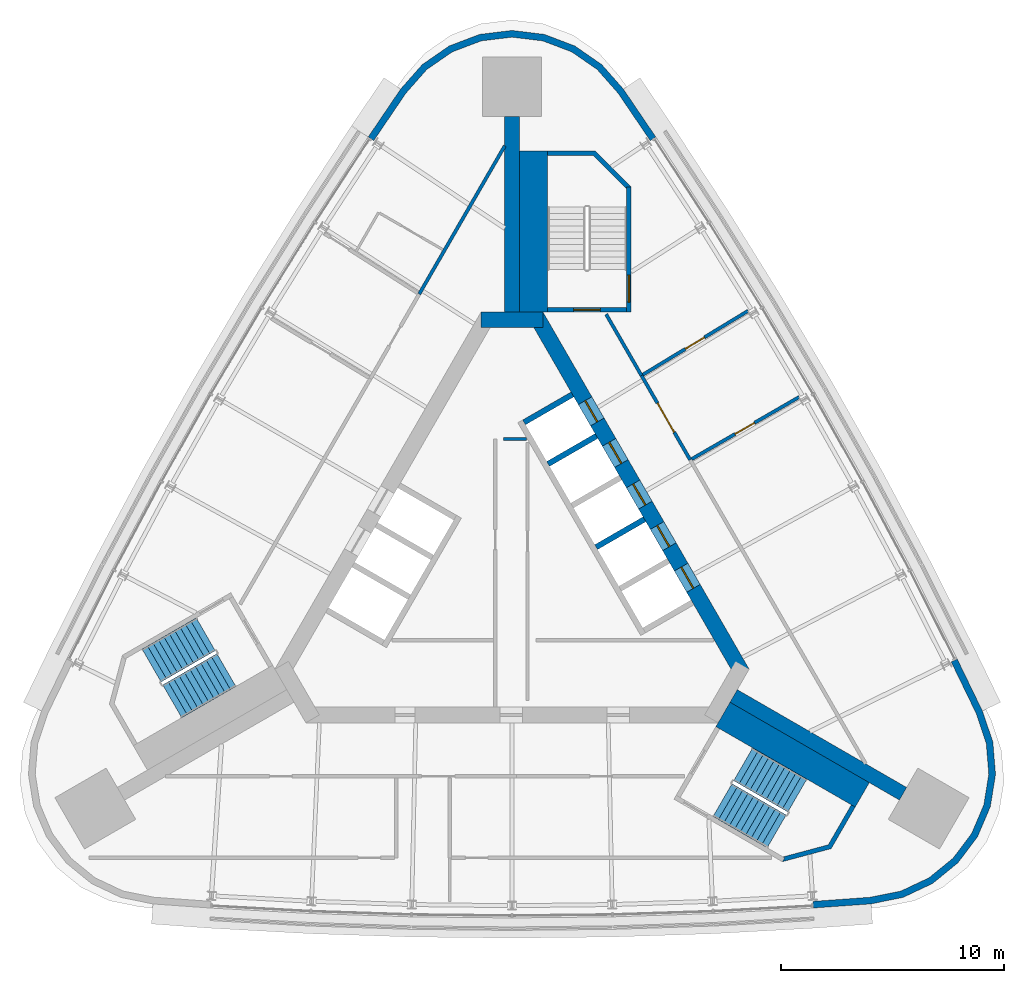
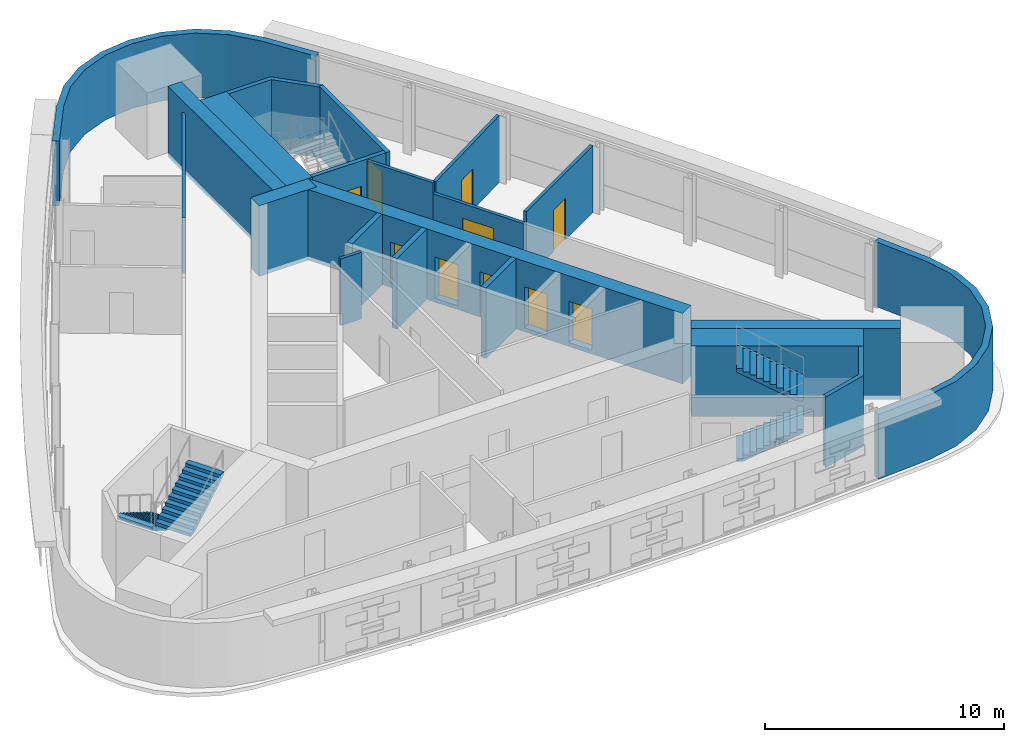
# One storey, part 8 of 11: 21 walls, 10 doors, 4 stair flights, 10 openings, 2 elements without a shape of their own.
"""IFC4 building model written with IfcOpenShell, lengths in metres."""

from ifc_helpers import new_model, si_unit, direction, frame, frame_2d, origin, place, context, subcontext, project, spatial, polyline, rectangle, outline, extrude, material, layer, layer_set, type_object, element, fill, aggregate, save


model = new_model("IFC4")

# Units and contexts
model_context = context("Model", 3, precision=1e-05, world=origin(), true_north=direction((0.0, 1.0)))
body_context = subcontext(model_context, "Body", "Model", "MODEL_VIEW")
ifc_project = project(units=[si_unit("LENGTHUNIT", "METRE"), si_unit("AREAUNIT", "SQUARE_METRE"), si_unit("VOLUMEUNIT", "CUBIC_METRE"), si_unit("PLANEANGLEUNIT", "RADIAN"), si_unit("MASSUNIT", "GRAM", prefix="KILO")], contexts=[model_context])

# Site, building, storey
site_placement = place(None, origin())
site = spatial("IfcSite", under=ifc_project, at=site_placement, CompositionType="ELEMENT")
building_placement = place(site_placement, origin())
building = spatial("IfcBuilding", under=site, at=building_placement, Name="Noor Cloister Tower", CompositionType="ELEMENT")
storey_placement = place(building_placement, frame((0.0, 0.0, 203.10009765625)))
storey = spatial("IfcBuildingStorey", under=building, at=storey_placement, Name="L52", CompositionType="ELEMENT", Elevation=203.10009765625)

# Walls
ifc_material_1 = material(Name="Concrete C70/85", Category="concrete")
ifc_layer_1 = layer(ifc_material_1, 0.64990234375)
ifc_layer_set_1 = layer_set([ifc_layer_1], Name="Buttress wall 650 C70/85")
wall_type_1 = type_object("IfcWallType", Name="Buttress wall 650 C70/85", PredefinedType="SHEAR", material=ifc_layer_set_1)
wall_1_placement = place(storey_placement, frame((0.0, 11.456298828125, -0.2001953125), z_axis=(0.0, 0.0, 1.0), x_axis=(0.0, 1.0, 0.0)))
element("IfcWall", 1, at=wall_1_placement, inside=storey, type_object=wall_type_1, Name="Buttress wall N L52", PredefinedType="SHEAR", context=body_context, shape_type="SweptSolid", body=[
    extrude(rectangle(XDim=8.7578125, YDim=0.64990234375, at=frame_2d((4.37890625, 0.0))), origin(), (0.0, 0.0, 1.0), 3.60009765625),
])
wall_2_placement = place(storey_placement, frame((9.921630859375, -5.728271484375, -0.2001953125), z_axis=(0.0, 0.0, 1.0), x_axis=(0.866030064713, -0.499991926948, 0.0)))
element("IfcWall", 2, at=wall_2_placement, inside=storey, type_object=wall_type_1, Name="Buttress wall SE L52", PredefinedType="SHEAR", context=body_context, shape_type="SweptSolid", body=[
    extrude(rectangle(XDim=8.757568359375, YDim=0.64990234375, at=frame_2d((4.37890625, 0.0))), origin(), (0.0, 0.0, 1.0), 3.60009765625),
])
ifc_material_2 = material(Name="Concrete C30/37", Category="concrete")
ifc_layer_2 = layer(ifc_material_2, 0.14990234375)
ifc_layer_set_2 = layer_set([ifc_layer_2], Name="Core partition 150 C30/37")
wall_type_2 = type_object("IfcWallType", Name="Core partition 150 C30/37", PredefinedType="PARTITIONING", material=ifc_layer_set_2)
wall_3_placement = place(storey_placement, frame((-0.378662109375, 5.771728515625, 0.0), z_axis=(0.0, 0.0, 1.0), x_axis=(1.0, 0.0, 0.0)))
element("IfcWall", 3, at=wall_3_placement, inside=storey, type_object=wall_type_2, Name="Core room partition L52 3", PredefinedType="PARTITIONING", context=body_context, shape_type="SweptSolid", body=[
    extrude(rectangle(XDim=1.017578125, YDim=0.14990234375, at=frame_2d((0.5087890625, 0.0))), origin(), (0.0, 0.0, 1.0), 3.39990234375),
])

# Wall, openings, doors
ifc_material_3 = material(Name="Concrete C70/85", Category="concrete")
ifc_layer_3 = layer(ifc_material_3, 0.699951171875)
ifc_layer_set_3 = layer_set([ifc_layer_3], Name="Core wall 700 C70/85")
wall_type_3 = type_object("IfcWallType", Name="Core wall 700 C70/85", PredefinedType="SHEAR", material=ifc_layer_set_3)
wall_4_placement = place(storey_placement, frame((10.311279296875, -4.703125, -0.2001953125), z_axis=(0.0, 0.0, 1.0), x_axis=(-0.500001446645, 0.866024568562, 0.0)))
wall_4 = element("IfcWall", 4, at=wall_4_placement, inside=storey, type_object=wall_type_3, Name="Core wall L52 3", PredefinedType="SHEAR", context=body_context, shape_type="SweptSolid", body=[
    extrude(rectangle(XDim=18.45751953125, YDim=0.699951171875, at=frame_2d((9.228759765625, 0.0))), origin(), (0.0, 0.0, 1.0), 3.60009765625),
])
opening_1_placement = place(wall_4_placement, frame((4.378662109375, 0.0, 0.199951171875)))
opening_1 = element("IfcOpeningElement", 5, at=opening_1_placement, cuts=wall_4, Name="Opening L52-HR1", PredefinedType="OPENING", context=body_context, shape_type="SweptSolid", body=[
    extrude(rectangle(XDim=1.10009765625, YDim=2.10009765625, at=frame_2d((0.550048828125, 1.050048828125))), frame((0.0, 0.35986328125, 0.0), z_axis=(0.0, -1.0, 0.0), x_axis=(1.0, 0.0, 0.0)), (0.0, 0.0, 1.0), 0.719970703125),
])
opening_2_placement = place(wall_4_placement, frame((6.52880859375, 0.0, 0.199951171875)))
opening_2 = element("IfcOpeningElement", 6, at=opening_2_placement, cuts=wall_4, Name="Opening L52-HR2", PredefinedType="OPENING", context=body_context, shape_type="SweptSolid", body=[
    extrude(rectangle(XDim=1.10009765625, YDim=2.10009765625, at=frame_2d((0.550048828125, 1.050048828125))), frame((0.0, 0.35986328125, 0.0), z_axis=(0.0, -1.0, 0.0), x_axis=(1.0, 0.0, 0.0)), (0.0, 0.0, 1.0), 0.719970703125),
])
opening_3_placement = place(wall_4_placement, frame((8.6787109375, 0.0, 0.199951171875)))
opening_3 = element("IfcOpeningElement", 7, at=opening_3_placement, cuts=wall_4, Name="Opening L52-HR3", PredefinedType="OPENING", context=body_context, shape_type="SweptSolid", body=[
    extrude(rectangle(XDim=1.10009765625, YDim=2.10009765625, at=frame_2d((0.550048828125, 1.050048828125))), frame((0.0, 0.35986328125, 0.0), z_axis=(0.0, -1.0, 0.0), x_axis=(1.0, 0.0, 0.0)), (0.0, 0.0, 1.0), 0.719970703125),
])
opening_4_placement = place(wall_4_placement, frame((10.82861328125, 0.0, 0.199951171875)))
opening_4 = element("IfcOpeningElement", 8, at=opening_4_placement, cuts=wall_4, Name="Opening L52-HR4", PredefinedType="OPENING", context=body_context, shape_type="SweptSolid", body=[
    extrude(rectangle(XDim=1.10009765625, YDim=2.10009765625, at=frame_2d((0.550048828125, 1.050048828125))), frame((0.0, 0.35986328125, 0.0), z_axis=(0.0, -1.0, 0.0), x_axis=(1.0, 0.0, 0.0)), (0.0, 0.0, 1.0), 0.719970703125),
])
opening_5_placement = place(wall_4_placement, frame((12.978759765625, 0.0, 0.199951171875)))
opening_5 = element("IfcOpeningElement", 9, at=opening_5_placement, cuts=wall_4, Name="Opening L52-HR5", PredefinedType="OPENING", context=body_context, shape_type="SweptSolid", body=[
    extrude(rectangle(XDim=1.10009765625, YDim=2.10009765625, at=frame_2d((0.550048828125, 1.050048828125))), frame((0.0, 0.35986328125, 0.0), z_axis=(0.0, -1.0, 0.0), x_axis=(1.0, 0.0, 0.0)), (0.0, 0.0, 1.0), 0.719970703125),
])
ifc_material_4 = material(Name="Stainless steel", Category="steel")
door_type_1 = type_object("IfcDoorType", Name="Lift landing door 1100 x 2100", OperationType="DOUBLE_DOOR_SLIDING", PredefinedType="DOOR", material=ifc_material_4)
door_1_placement = place(opening_1_placement, origin())
door_1 = element("IfcDoor", 10, at=door_1_placement, inside=storey, type_object=door_type_1, Name="Landing door HR1 L52", OperationType="DOUBLE_DOOR_SLIDING", OverallHeight=2.10009765625, OverallWidth=1.10009765625, PredefinedType="DOOR", context=body_context, shape_type="SweptSolid", body=[
    extrude(rectangle(XDim=1.10009765625, YDim=2.10009765625, at=frame_2d((0.550048828125, 1.050048828125))), frame((0.0, 0.02490234375, 0.0), z_axis=(0.0, -1.0, 0.0), x_axis=(1.0, 0.0, 0.0)), (0.0, 0.0, 1.0), 0.050048828125),
])
fill(opening_1, door_1)
door_2_placement = place(opening_2_placement, origin())
door_2 = element("IfcDoor", 11, at=door_2_placement, inside=storey, type_object=door_type_1, Name="Landing door HR2 L52", OperationType="DOUBLE_DOOR_SLIDING", OverallHeight=2.10009765625, OverallWidth=1.10009765625, PredefinedType="DOOR", context=body_context, shape_type="SweptSolid", body=[
    extrude(rectangle(XDim=1.10009765625, YDim=2.10009765625, at=frame_2d((0.550048828125, 1.050048828125))), frame((0.0, 0.02490234375, 0.0), z_axis=(0.0, -1.0, 0.0), x_axis=(1.0, 0.0, 0.0)), (0.0, 0.0, 1.0), 0.050048828125),
])
fill(opening_2, door_2)
door_3_placement = place(opening_3_placement, origin())
door_3 = element("IfcDoor", 12, at=door_3_placement, inside=storey, type_object=door_type_1, Name="Landing door HR3 L52", OperationType="DOUBLE_DOOR_SLIDING", OverallHeight=2.10009765625, OverallWidth=1.10009765625, PredefinedType="DOOR", context=body_context, shape_type="SweptSolid", body=[
    extrude(rectangle(XDim=1.10009765625, YDim=2.10009765625, at=frame_2d((0.550048828125, 1.050048828125))), frame((0.0, 0.02490234375, 0.0), z_axis=(0.0, -1.0, 0.0), x_axis=(1.0, 0.0, 0.0)), (0.0, 0.0, 1.0), 0.050048828125),
])
fill(opening_3, door_3)
door_4_placement = place(opening_4_placement, origin())
door_4 = element("IfcDoor", 13, at=door_4_placement, inside=storey, type_object=door_type_1, Name="Landing door HR4 L52", OperationType="DOUBLE_DOOR_SLIDING", OverallHeight=2.10009765625, OverallWidth=1.10009765625, PredefinedType="DOOR", context=body_context, shape_type="SweptSolid", body=[
    extrude(rectangle(XDim=1.10009765625, YDim=2.10009765625, at=frame_2d((0.550048828125, 1.050048828125))), frame((0.0, 0.02490234375, 0.0), z_axis=(0.0, -1.0, 0.0), x_axis=(1.0, 0.0, 0.0)), (0.0, 0.0, 1.0), 0.050048828125),
])
fill(opening_4, door_4)
door_5_placement = place(opening_5_placement, origin())
door_5 = element("IfcDoor", 14, at=door_5_placement, inside=storey, type_object=door_type_1, Name="Landing door HR5 L52", OperationType="DOUBLE_DOOR_SLIDING", OverallHeight=2.10009765625, OverallWidth=1.10009765625, PredefinedType="DOOR", context=body_context, shape_type="SweptSolid", body=[
    extrude(rectangle(XDim=1.10009765625, YDim=2.10009765625, at=frame_2d((0.550048828125, 1.050048828125))), frame((0.0, 0.02490234375, 0.0), z_axis=(0.0, -1.0, 0.0), x_axis=(1.0, 0.0, 0.0)), (0.0, 0.0, 1.0), 0.050048828125),
])
fill(opening_5, door_5)

# Walls
wall_5_placement = place(storey_placement, frame((1.3857421875, 11.1064453125, -0.2001953125), z_axis=(0.0, 0.0, 1.0), x_axis=(-1.0, 0.0, 0.0)))
element("IfcWall", 15, at=wall_5_placement, inside=storey, type_object=wall_type_3, Name="Core wall L52 4", PredefinedType="SHEAR", context=body_context, shape_type="SweptSolid", body=[
    extrude(rectangle(XDim=2.771484375, YDim=0.699951171875, at=frame_2d((1.3857421875, 0.0))), origin(), (0.0, 0.0, 1.0), 3.60009765625),
])
ifc_material_5 = material(Name="Fire-rated gypsum board partition on steel studs, 150 mm", Category="steel")
ifc_layer_4 = layer(ifc_material_5, 0.14990234375)
ifc_layer_set_4 = layer_set([ifc_layer_4], Name="Fire lobby wall 150")
wall_type_4 = type_object("IfcWallType", Name="Fire lobby wall 150", PredefinedType="PARTITIONING", material=ifc_layer_set_4)
wall_6_placement = place(storey_placement, frame((-0.324951171875, 18.8935546875, 0.0), z_axis=(0.0, 0.0, 1.0), x_axis=(-0.499994868576, -0.866028366393, 0.0)))
element("IfcWall", 16, at=wall_6_placement, inside=storey, type_object=wall_type_4, Name="Wall L52-W14", PredefinedType="PARTITIONING", context=body_context, shape_type="SweptSolid", body=[
    extrude(rectangle(XDim=7.654296875, YDim=0.14990234375, at=frame_2d((3.8271484375, 0.0))), origin(), (0.0, 0.0, 1.0), 2.851806640625),
])
ifc_material_6 = material(Name="Gypsum board partition on steel studs, 150 mm", Category="steel")
ifc_layer_5 = layer(ifc_material_6, 0.14990234375)
ifc_layer_set_5 = layer_set([ifc_layer_5], Name="Flat wall 150")
wall_type_5 = type_object("IfcWallType", Name="Flat wall 150", PredefinedType="PARTITIONING", material=ifc_layer_set_5)
wall_7_placement = place(storey_placement, frame((5.79736328125, 8.614990234375, 0.0), z_axis=(0.0, 0.0, 1.0), x_axis=(-0.499996172356, 0.866027613664, 0.0)))
element("IfcWall", 17, at=wall_7_placement, inside=storey, type_object=wall_type_5, Name="Wall L52-W02", PredefinedType="PARTITIONING", context=body_context, shape_type="SweptSolid", body=[
    extrude(rectangle(XDim=3.16552734375, YDim=0.14990234375, at=frame_2d((1.582763671875, 0.0))), origin(), (0.0, 0.0, 1.0), 3.39990234375),
])

# Wall, opening, door
wall_8_placement = place(storey_placement, frame((12.859619140625, 7.655517578125, 0.0), z_axis=(0.0, 0.0, 1.0), x_axis=(-0.866013784358, -0.500020124897, 0.0)))
wall_8 = element("IfcWall", 18, at=wall_8_placement, inside=storey, type_object=wall_type_5, Name="Wall L52-W03", PredefinedType="PARTITIONING", context=body_context, shape_type="SweptSolid", body=[
    extrude(rectangle(XDim=5.561279296875, YDim=0.14990234375, at=frame_2d((2.78076171875, 0.0))), origin(), (0.0, 0.0, 1.0), 3.39990234375),
])
opening_6_placement = place(wall_8_placement, frame((2.318115234375, 0.0, 0.0)))
opening_6 = element("IfcOpeningElement", 19, at=opening_6_placement, cuts=wall_8, Name="Opening L52-002", PredefinedType="OPENING", context=body_context, shape_type="SweptSolid", body=[
    extrude(rectangle(XDim=1.0, YDim=2.10009765625, at=frame_2d((0.5, 1.050048828125))), frame((0.0, 0.0849609375, 0.0), z_axis=(0.0, -1.0, 0.0), x_axis=(1.0, 0.0, 0.0)), (0.0, 0.0, 1.0), 0.169921875),
])
ifc_material_7 = material(Name="Timber door leaf with steel frame", Category="steel")
door_type_2 = type_object("IfcDoorType", Name="Interior door 1000 FD60", OperationType="NOTDEFINED", PredefinedType="DOOR", material=ifc_material_7)
door_6_placement = place(opening_6_placement, origin())
door_6 = element("IfcDoor", 20, at=door_6_placement, inside=storey, type_object=door_type_2, Name="Door L52-002", OperationType="SINGLE_SWING_RIGHT", OverallHeight=2.10009765625, OverallWidth=1.0, PredefinedType="DOOR", context=body_context, shape_type="SweptSolid", body=[
    extrude(rectangle(XDim=1.0, YDim=2.10009765625, at=frame_2d((0.5, 1.050048828125))), frame((0.0, 0.02490234375, 0.0), z_axis=(0.0, -1.0, 0.0), x_axis=(1.0, 0.0, 0.0)), (0.0, 0.0, 1.0), 0.050048828125),
])
fill(opening_6, door_6)

wall_9_placement = place(storey_placement, frame((10.5712890625, 11.51220703125, 0.0), z_axis=(0.0, 0.0, 1.0), x_axis=(-0.854873861195, -0.518835890668, 0.0)))
wall_9 = element("IfcWall", 21, at=wall_9_placement, inside=storey, type_object=wall_type_5, Name="Wall L52-W04", PredefinedType="PARTITIONING", context=body_context, shape_type="SweptSolid", body=[
    extrude(rectangle(XDim=5.50927734375, YDim=0.14990234375, at=frame_2d((2.754638671875, 0.0))), origin(), (0.0, 0.0, 1.0), 3.39990234375),
])
opening_7_placement = place(wall_9_placement, frame((2.292236328125, 0.0, 0.0)))
opening_7 = element("IfcOpeningElement", 22, at=opening_7_placement, cuts=wall_9, Name="Opening L52-003", PredefinedType="OPENING", context=body_context, shape_type="SweptSolid", body=[
    extrude(rectangle(XDim=1.0, YDim=2.10009765625, at=frame_2d((0.5, 1.050048828125))), frame((0.0, 0.0849609375, 0.0), z_axis=(0.0, -1.0, 0.0), x_axis=(1.0, 0.0, 0.0)), (0.0, 0.0, 1.0), 0.169921875),
])
door_7_placement = place(opening_7_placement, origin())
door_7 = element("IfcDoor", 23, at=door_7_placement, inside=storey, type_object=door_type_2, Name="Door L52-003", OperationType="SINGLE_SWING_LEFT", OverallHeight=2.10009765625, OverallWidth=1.0, PredefinedType="DOOR", context=body_context, shape_type="SweptSolid", body=[
    extrude(rectangle(XDim=1.0, YDim=2.10009765625, at=frame_2d((0.5, 1.050048828125))), frame((0.0, 0.02490234375, 0.0), z_axis=(0.0, -1.0, 0.0), x_axis=(1.0, 0.0, 0.0)), (0.0, 0.0, 1.0), 0.050048828125),
])
fill(opening_7, door_7)

wall_10_placement = place(storey_placement, frame((7.978515625, 4.83740234375, 0.0), z_axis=(0.0, 0.0, 1.0), x_axis=(-0.500027674414, 0.866009425365, 0.0)))
wall_10 = element("IfcWall", 24, at=wall_10_placement, inside=storey, type_object=wall_type_5, Name="Wall L52-W05", PredefinedType="PARTITIONING", context=body_context, shape_type="SweptSolid", body=[
    extrude(rectangle(XDim=4.362060546875, YDim=0.14990234375, at=frame_2d((2.18115234375, 0.0))), origin(), (0.0, 0.0, 1.0), 2.851806640625),
])
opening_8_placement = place(wall_10_placement, frame((1.430908203125, 0.0, 0.0)))
opening_8 = element("IfcOpeningElement", 25, at=opening_8_placement, cuts=wall_10, Name="Opening L52-001", PredefinedType="OPENING", context=body_context, shape_type="SweptSolid", body=[
    extrude(rectangle(XDim=1.5, YDim=2.10009765625, at=frame_2d((0.75, 1.050048828125))), frame((0.0, 0.0849609375, 0.0), z_axis=(0.0, -1.0, 0.0), x_axis=(1.0, 0.0, 0.0)), (0.0, 0.0, 1.0), 0.169921875),
])
ifc_material_8 = material(Name="Timber door leaf with steel frame", Category="steel")
door_type_3 = type_object("IfcDoorType", Name="Double door 1500 FD60", OperationType="NOTDEFINED", PredefinedType="DOOR", material=ifc_material_8)
door_8_placement = place(opening_8_placement, origin())
door_8 = element("IfcDoor", 26, at=door_8_placement, inside=storey, type_object=door_type_3, Name="Door L52-001", OperationType="DOUBLE_DOOR_SINGLE_SWING", OverallHeight=2.10009765625, OverallWidth=1.5, PredefinedType="DOOR", context=body_context, shape_type="SweptSolid", body=[
    extrude(rectangle(XDim=1.5, YDim=2.10009765625, at=frame_2d((0.75, 1.050048828125))), frame((0.0, 0.02490234375, 0.0), z_axis=(0.0, -1.0, 0.0), x_axis=(1.0, 0.0, 0.0)), (0.0, 0.0, 1.0), 0.050048828125),
])
fill(opening_8, door_8)

# Walls
ifc_material_9 = material(Name="Limestone", Category="masonry")
ifc_layer_6 = layer(ifc_material_9, 0.300048828125)
ifc_layer_set_6 = layer_set([ifc_layer_6], Name="Limestone cladding 300")
wall_type_6 = type_object("IfcWallType", Name="Limestone cladding 300", PredefinedType="NOTDEFINED", material=ifc_layer_set_6)
wall_11_placement = place(storey_placement, origin())
element("IfcWall", 27, at=wall_11_placement, inside=storey, type_object=wall_type_6, Name="Limestone pier cladding L52 2.1", PredefinedType="NOTDEFINED", context=body_context, shape_type="SweptSolid", body=[
    extrude(outline(polyline([(13.490234375, -15.2236328125), (16.074951171875, -15.037353515625), (17.507568359375, -14.747802734375), (18.82861328125, -14.123291015625), (19.96142578125, -13.199951171875), (20.83984375, -12.03173828125), (21.412353515625, -10.687255859375), (21.6455078125, -9.24462890625), (21.52587890625, -7.7880859375), (21.060302734375, -6.40283203125), (19.92919921875, -4.071044921875), (19.659423828125, -4.201904296875), (20.781982421875, -6.516357421875), (21.229736328125, -7.848876953125), (21.343505859375, -9.232666015625), (21.121826171875, -10.603271484375), (20.578125, -11.880859375), (19.74365234375, -12.990478515625), (18.66748046875, -13.86767578125), (17.412353515625, -14.4609375), (16.034423828125, -14.739501953125), (13.46875, -14.924560546875), (13.490234375, -15.2236328125)])), origin(), (0.0, 0.0, 1.0), 3.2998046875),
])
wall_12_placement = place(storey_placement, origin())
element("IfcWall", 28, at=wall_12_placement, inside=storey, type_object=wall_type_6, Name="Limestone pier cladding L52 3.1", PredefinedType="NOTDEFINED", context=body_context, shape_type="SweptSolid", body=[
    extrude(outline(polyline([(6.43896484375, 19.294677734375), (4.985107421875, 21.43994140625), (4.018310546875, 22.535888671875), (2.816650390625, 23.36767578125), (1.45068359375, 23.88720703125), (0.0, 24.063720703125), (-1.45068359375, 23.88720703125), (-2.816650390625, 23.36767578125), (-4.018310546875, 22.535888671875), (-4.985107421875, 21.43994140625), (-6.43896484375, 19.294677734375), (-6.190673828125, 19.12646484375), (-4.74755859375, 21.255859375), (-3.8173828125, 22.31005859375), (-2.676025390625, 23.100341796875), (-1.378173828125, 23.59375), (0.0, 23.761474609375), (1.378173828125, 23.59375), (2.676025390625, 23.100341796875), (3.8173828125, 22.31005859375), (4.74755859375, 21.255859375), (6.190673828125, 19.12646484375), (6.43896484375, 19.294677734375)])), origin(), (0.0, 0.0, 1.0), 3.2998046875),
])
ifc_material_10 = material(Name="Concrete C70/85", Category="concrete")
ifc_layer_7 = layer(ifc_material_10, 0.25)
ifc_layer_set_7 = layer_set([ifc_layer_7], Name="Shaft wall 250 C70/85")
wall_type_7 = type_object("IfcWallType", Name="Shaft wall 250 C70/85", PredefinedType="PARTITIONING", material=ifc_layer_set_7)
wall_13_placement = place(storey_placement, frame((5.931396484375, 2.18310546875, -0.2001953125), z_axis=(0.0, 0.0, 1.0), x_axis=(-0.866047370643, -0.499961950354, 0.0)))
element("IfcWall", 29, at=wall_13_placement, inside=storey, type_object=wall_type_7, Name="Lift shaft wall L52 NE 3", PredefinedType="PARTITIONING", context=body_context, shape_type="SweptSolid", body=[
    extrude(rectangle(XDim=2.500244140625, YDim=0.25, at=frame_2d((1.25, 0.0))), origin(), (0.0, 0.0, 1.0), 3.60009765625),
])
for number, where, z_axis, x_axis, name in (
    (30, (3.78125, 5.906982421875, -0.2001953125), (0.0, 0.0, 1.0), (-0.866022959057, -0.500004234368, 0.0), "Lift shaft wall L52 NE 5"),
    (31, (2.706298828125, 7.76904296875, -0.2001953125), (0.0, 0.0, 1.0), (-0.866022959057, -0.500004234368, 0.0), "Lift shaft wall L52 NE 6"),
):
    element("IfcWall", number, at=place(storey_placement, frame(where, z_axis=z_axis, x_axis=x_axis)), inside=storey, type_object=wall_type_7, Name=name, PredefinedType="PARTITIONING", context=body_context, shape_type="SweptSolid", body=[
        extrude(rectangle(XDim=2.5, YDim=0.25, at=frame_2d((1.25, 0.0))), origin(), (0.0, 0.0, 1.0), 3.60009765625),
    ])
ifc_material_11 = material(Name="Concrete C70/85", Category="concrete")
ifc_layer_8 = layer(ifc_material_11, 1.260986328125)
ifc_layer_set_8 = layer_set([ifc_layer_8], Name="Stair enclosure wall 1261 C70/85")
wall_type_8 = type_object("IfcWallType", Name="Stair enclosure wall 1261 C70/85", PredefinedType="SHEAR", material=ifc_layer_set_8)
wall_14_placement = place(storey_placement, frame((0.955322265625, 11.456298828125, -0.2001953125), z_axis=(0.0, 0.0, 1.0), x_axis=(0.0, 1.0, 0.0)))
element("IfcWall", 32, at=wall_14_placement, inside=storey, type_object=wall_type_8, Name="Stair enclosure wall ST1 L52 riser side", PredefinedType="SHEAR", context=body_context, shape_type="SweptSolid", body=[
    extrude(rectangle(XDim=7.2001953125, YDim=1.2607421875, at=frame_2d((3.60009765625, 0.0))), origin(), (0.0, 0.0, 1.0), 3.60009765625),
])
wall_15_placement = place(storey_placement, frame((9.44384765625, -6.555419921875, -0.2001953125), z_axis=(0.0, 0.0, 1.0), x_axis=(0.866018442252, -0.500012057535, 0.0)))
element("IfcWall", 33, at=wall_15_placement, inside=storey, type_object=wall_type_8, Name="Stair enclosure wall ST3 L52 riser side", PredefinedType="SHEAR", context=body_context, shape_type="SweptSolid", body=[
    extrude(rectangle(XDim=7.199951171875, YDim=1.2607421875, at=frame_2d((3.60009765625, 0.0))), origin(), (0.0, 0.0, 1.0), 3.60009765625),
])

# Wall, opening, door
ifc_material_12 = material(Name="Concrete C70/85", Category="concrete")
ifc_layer_9 = layer(ifc_material_12, 0.199951171875)
ifc_layer_set_9 = layer_set([ifc_layer_9], Name="Stair enclosure wall 200 C70/85")
wall_type_9 = type_object("IfcWallType", Name="Stair enclosure wall 200 C70/85", PredefinedType="SHEAR", material=ifc_layer_set_9)
wall_16_placement = place(storey_placement, frame((5.135498046875, 11.556396484375, -0.2001953125), z_axis=(0.0, 0.0, 1.0), x_axis=(-1.0, 0.0, 0.0)))
wall_16 = element("IfcWall", 34, at=wall_16_placement, inside=storey, type_object=wall_type_9, Name="Stair enclosure wall ST1 L52 near end", PredefinedType="SHEAR", context=body_context, shape_type="SweptSolid", body=[
    extrude(rectangle(XDim=3.5498046875, YDim=0.199951171875, at=frame_2d((1.77490234375, 0.0))), origin(), (0.0, 0.0, 1.0), 3.60009765625),
])
opening_9_placement = place(wall_16_placement, frame((1.175048828125, 0.0, 0.199951171875)))
opening_9 = element("IfcOpeningElement", 35, at=opening_9_placement, cuts=wall_16, Name="Opening L52-ST1L", PredefinedType="OPENING", context=body_context, shape_type="SweptSolid", body=[
    extrude(rectangle(XDim=1.199951171875, YDim=2.10009765625, at=frame_2d((0.60009765625, 1.050048828125))), frame((0.0, 0.10986328125, 0.0), z_axis=(0.0, -1.0, 0.0), x_axis=(1.0, 0.0, 0.0)), (0.0, 0.0, 1.0), 0.219970703125),
])
ifc_material_13 = material(Name="Steel", Category="steel")
door_type_4 = type_object("IfcDoorType", Name="Stair door 1200 x 2100 FD120", OperationType="SINGLE_SWING_LEFT", PredefinedType="DOOR", material=ifc_material_13)
door_9_placement = place(opening_9_placement, origin())
door_9 = element("IfcDoor", 36, at=door_9_placement, inside=storey, type_object=door_type_4, Name="Stair door ST1 L52", OperationType="SINGLE_SWING_RIGHT", OverallHeight=2.10009765625, OverallWidth=1.199951171875, PredefinedType="DOOR", context=body_context, shape_type="SweptSolid", body=[
    extrude(rectangle(XDim=1.199951171875, YDim=2.10009765625, at=frame_2d((0.60009765625, 1.050048828125))), frame((0.0, 0.02490234375, 0.0), z_axis=(0.0, -1.0, 0.0), x_axis=(1.0, 0.0, 0.0)), (0.0, 0.0, 1.0), 0.050048828125),
])
fill(opening_9, door_9)

wall_17_placement = place(storey_placement, frame((5.235595703125, 11.456298828125, -0.2001953125), z_axis=(0.0, 0.0, 1.0), x_axis=(0.0, 1.0, 0.0)))
wall_17 = element("IfcWall", 37, at=wall_17_placement, inside=storey, type_object=wall_type_9, Name="Stair enclosure wall ST1 L52 outer side", PredefinedType="SHEAR", context=body_context, shape_type="SweptSolid", body=[
    extrude(rectangle(XDim=5.60009765625, YDim=0.199951171875, at=frame_2d((2.800048828125, 0.0))), origin(), (0.0, 0.0, 1.0), 3.60009765625),
])
opening_10_placement = place(wall_17_placement, frame((0.449951171875, 0.0, 0.199951171875)))
opening_10 = element("IfcOpeningElement", 38, at=opening_10_placement, cuts=wall_17, Name="Opening L52-ST1C", PredefinedType="OPENING", context=body_context, shape_type="SweptSolid", body=[
    extrude(rectangle(XDim=1.199951171875, YDim=2.10009765625, at=frame_2d((0.60009765625, 1.050048828125))), frame((0.0, 0.10986328125, 0.0), z_axis=(0.0, -1.0, 0.0), x_axis=(1.0, 0.0, 0.0)), (0.0, 0.0, 1.0), 0.219970703125),
])
door_10_placement = place(opening_10_placement, origin())
door_10 = element("IfcDoor", 39, at=door_10_placement, inside=storey, type_object=door_type_4, Name="Stair door ST1 L52", OperationType="SINGLE_SWING_LEFT", OverallHeight=2.10009765625, OverallWidth=1.199951171875, PredefinedType="DOOR", context=body_context, shape_type="SweptSolid", body=[
    extrude(rectangle(XDim=1.199951171875, YDim=2.10009765625, at=frame_2d((0.60009765625, 1.050048828125))), frame((0.0, 0.02490234375, 0.0), z_axis=(0.0, -1.0, 0.0), x_axis=(1.0, 0.0, 0.0)), (0.0, 0.0, 1.0), 0.050048828125),
])
fill(opening_10, door_10)

# Walls
ifc_material_14 = material(Name="Concrete C70/85", Category="concrete")
wall_type_10 = type_object("IfcWallType", Name="Stair far end wall C70/85", PredefinedType="SHEAR", material=ifc_material_14)
wall_18_placement = place(storey_placement, frame((0.0, 0.0, -0.2001953125)))
element("IfcWall", 40, at=wall_18_placement, inside=storey, type_object=wall_type_10, Name="Stair enclosure wall ST1 L52 far end", PredefinedType="SHEAR", context=body_context, shape_type="SweptSolid", body=[
    extrude(outline(polyline([(5.335693359375, 17.056396484375), (3.735595703125, 18.656494140625), (1.585693359375, 18.656494140625), (1.585693359375, 18.456298828125), (3.65283203125, 18.456298828125), (5.135498046875, 16.9736328125), (5.135498046875, 17.056396484375), (5.135498046875, 17.056396484375), (5.135498046875, 17.056396484375), (5.135498046875, 17.056396484375), (5.135498046875, 17.056396484375), (5.135498046875, 17.056396484375), (5.135498046875, 17.056396484375), (5.135498046875, 17.056396484375), (5.135498046875, 17.056396484375), (5.135498046875, 17.056396484375), (5.135498046875, 17.056396484375), (5.135498046875, 17.056396484375), (5.135498046875, 17.056396484375), (5.135498046875, 17.056396484375), (5.135498046875, 17.056396484375), (5.135498046875, 17.056396484375), (5.135498046875, 17.056396484375), (5.335693359375, 17.056396484375)])), origin(), (0.0, 0.0, 1.0), 3.60009765625),
])
wall_19_placement = place(storey_placement, frame((0.0, 0.0, -0.2001953125)))
element("IfcWall", 41, at=wall_19_placement, inside=storey, type_object=wall_type_10, Name="Stair enclosure wall ST3 L52 far end", PredefinedType="SHEAR", context=body_context, shape_type="SweptSolid", body=[
    extrude(outline(polyline([(12.103515625, -13.14892578125), (14.2890625, -12.5634765625), (15.364013671875, -10.701416015625), (15.19091796875, -10.601318359375), (14.1572265625, -12.3916015625), (12.131591796875, -12.934326171875), (12.20361328125, -12.975830078125), (12.20361328125, -12.975830078125), (12.20361328125, -12.975830078125), (12.20361328125, -12.975830078125), (12.20361328125, -12.975830078125), (12.20361328125, -12.975830078125), (12.20361328125, -12.975830078125), (12.20361328125, -12.975830078125), (12.20361328125, -12.975830078125), (12.20361328125, -12.975830078125), (12.20361328125, -12.975830078125), (12.20361328125, -12.975830078125), (12.20361328125, -12.975830078125), (12.20361328125, -12.975830078125), (12.20361328125, -12.975830078125), (12.20361328125, -12.975830078125), (12.20361328125, -12.975830078125), (12.103515625, -13.14892578125)])), origin(), (0.0, 0.0, 1.0), 3.60009765625),
])

# Stair, stair flights
ifc_material_15 = material(Name="Concrete C40/50", Category="concrete")
stair_type = type_object("IfcStairType", Name="Exit stair 22 risers", PredefinedType="HALF_TURN_STAIR", material=ifc_material_15)
stair_1_placement = place(storey_placement, origin())
stair_1 = element("IfcStair", 42, at=stair_1_placement, inside=storey, type_object=stair_type, Name="Exit stair ST2 L52", PredefinedType="HALF_TURN_STAIR")
ifc_material_16 = material(Name="Concrete C40/50", Category="concrete")
stair_flight_type = type_object("IfcStairFlightType", Name="Exit stair flight", PredefinedType="STRAIGHT", material=ifc_material_16)
stair_flight_1_placement = place(storey_placement, frame((-13.709716796875, -2.966796875, 0.0), z_axis=(0.0, 0.0, 1.0), x_axis=(-0.866025403784, -0.5, 0.0)))
stair_flight_1 = element("IfcStairFlight", 43, at=stair_flight_1_placement, type_object=stair_flight_type, Name="ST2 flight 1", NumberOfRisers=11, NumberOfTreads=10, PredefinedType="STRAIGHT", RiserHeight=0.163636364, TreadLength=0.28, context=body_context, shape_type="SweptSolid", body=[
    extrude(outline(polyline([(0.0, 0.0), (0.0, 0.16357421875), (0.280029296875, 0.16357421875), (0.280029296875, 0.327392578125), (0.56005859375, 0.327392578125), (0.56005859375, 0.490966796875), (0.840087890625, 0.490966796875), (0.840087890625, 0.654541015625), (1.1201171875, 0.654541015625), (1.1201171875, 0.818115234375), (1.39990234375, 0.818115234375), (1.39990234375, 0.98193359375), (1.679931640625, 0.98193359375), (1.679931640625, 1.1455078125), (1.9599609375, 1.1455078125), (1.9599609375, 1.30908203125), (2.239990234375, 1.30908203125), (2.239990234375, 1.47265625), (2.52001953125, 1.47265625), (2.52001953125, 1.636474609375), (2.800048828125, 1.636474609375), (2.800048828125, 1.800048828125), (2.800048828125, 1.462646484375), (0.297119140625, 0.0), (0.0, 0.0)])), frame((0.0, 0.85009765625, 0.0), z_axis=(0.0, -1.0, 0.0), x_axis=(1.0, 0.0, 0.0)), (0.0, 0.0, 1.0), 1.699951171875),
])
stair_flight_2_placement = place(storey_placement, frame((-15.209716796875, -5.968994140625, 1.7998046875), z_axis=(0.0, 0.0, 1.0), x_axis=(0.866025403784, 0.5, 0.0)))
stair_flight_2 = element("IfcStairFlight", 44, at=stair_flight_2_placement, type_object=stair_flight_type, Name="ST2 flight 2", NumberOfRisers=11, NumberOfTreads=10, PredefinedType="STRAIGHT", RiserHeight=0.163636364, TreadLength=0.28, context=body_context, shape_type="SweptSolid", body=[
    extrude(outline(polyline([(0.0, 0.0), (0.0, 0.16357421875), (0.280029296875, 0.16357421875), (0.280029296875, 0.327392578125), (0.56005859375, 0.327392578125), (0.56005859375, 0.490966796875), (0.840087890625, 0.490966796875), (0.840087890625, 0.654541015625), (1.1201171875, 0.654541015625), (1.1201171875, 0.818115234375), (1.39990234375, 0.818115234375), (1.39990234375, 0.98193359375), (1.679931640625, 0.98193359375), (1.679931640625, 1.1455078125), (1.9599609375, 1.1455078125), (1.9599609375, 1.30908203125), (2.239990234375, 1.30908203125), (2.239990234375, 1.47265625), (2.52001953125, 1.47265625), (2.52001953125, 1.636474609375), (2.800048828125, 1.636474609375), (2.800048828125, 1.800048828125), (2.800048828125, 1.462646484375), (0.297119140625, 0.0), (0.0, 0.0)])), frame((0.0, 0.85009765625, 0.0), z_axis=(0.0, -1.0, 0.0), x_axis=(1.0, 0.0, 0.0)), (0.0, 0.0, 1.0), 1.699951171875),
])
aggregate(stair_1, [stair_flight_1, stair_flight_2])

stair_2_placement = place(storey_placement, origin())
stair_2 = element("IfcStair", 45, at=stair_2_placement, inside=storey, type_object=stair_type, Name="Exit stair ST3 L52", PredefinedType="HALF_TURN_STAIR")
stair_flight_3_placement = place(storey_placement, frame((9.424072265625, -10.3896484375, 0.0), z_axis=(0.0, 0.0, 1.0), x_axis=(0.866025403784, -0.5, 0.0)))
stair_flight_3 = element("IfcStairFlight", 46, at=stair_flight_3_placement, type_object=stair_flight_type, Name="ST3 flight 1", NumberOfRisers=11, NumberOfTreads=10, PredefinedType="STRAIGHT", RiserHeight=0.163636364, TreadLength=0.28, context=body_context, shape_type="SweptSolid", body=[
    extrude(outline(polyline([(0.0, 0.0), (0.0, 0.16357421875), (0.280029296875, 0.16357421875), (0.280029296875, 0.327392578125), (0.56005859375, 0.327392578125), (0.56005859375, 0.490966796875), (0.840087890625, 0.490966796875), (0.840087890625, 0.654541015625), (1.1201171875, 0.654541015625), (1.1201171875, 0.818115234375), (1.39990234375, 0.818115234375), (1.39990234375, 0.98193359375), (1.679931640625, 0.98193359375), (1.679931640625, 1.1455078125), (1.9599609375, 1.1455078125), (1.9599609375, 1.30908203125), (2.239990234375, 1.30908203125), (2.239990234375, 1.47265625), (2.52001953125, 1.47265625), (2.52001953125, 1.636474609375), (2.800048828125, 1.636474609375), (2.800048828125, 1.800048828125), (2.800048828125, 1.462646484375), (0.297119140625, 0.0), (0.0, 0.0)])), frame((0.0, 0.85009765625, 0.0), z_axis=(0.0, -1.0, 0.0), x_axis=(1.0, 0.0, 0.0)), (0.0, 0.0, 1.0), 1.699951171875),
])
stair_flight_4_placement = place(storey_placement, frame((12.77392578125, -10.1875, 1.7998046875), z_axis=(0.0, 0.0, 1.0), x_axis=(-0.866025403784, 0.5, 0.0)))
stair_flight_4 = element("IfcStairFlight", 47, at=stair_flight_4_placement, type_object=stair_flight_type, Name="ST3 flight 2", NumberOfRisers=11, NumberOfTreads=10, PredefinedType="STRAIGHT", RiserHeight=0.163636364, TreadLength=0.28, context=body_context, shape_type="SweptSolid", body=[
    extrude(outline(polyline([(0.0, 0.0), (0.0, 0.16357421875), (0.280029296875, 0.16357421875), (0.280029296875, 0.327392578125), (0.56005859375, 0.327392578125), (0.56005859375, 0.490966796875), (0.840087890625, 0.490966796875), (0.840087890625, 0.654541015625), (1.1201171875, 0.654541015625), (1.1201171875, 0.818115234375), (1.39990234375, 0.818115234375), (1.39990234375, 0.98193359375), (1.679931640625, 0.98193359375), (1.679931640625, 1.1455078125), (1.9599609375, 1.1455078125), (1.9599609375, 1.30908203125), (2.239990234375, 1.30908203125), (2.239990234375, 1.47265625), (2.52001953125, 1.47265625), (2.52001953125, 1.636474609375), (2.800048828125, 1.636474609375), (2.800048828125, 1.800048828125), (2.800048828125, 1.462646484375), (0.297119140625, 0.0), (0.0, 0.0)])), frame((0.0, 0.85009765625, 0.0), z_axis=(0.0, -1.0, 0.0), x_axis=(1.0, 0.0, 0.0)), (0.0, 0.0, 1.0), 1.699951171875),
])
aggregate(stair_2, [stair_flight_3, stair_flight_4])

save(model, "model.ifc")
